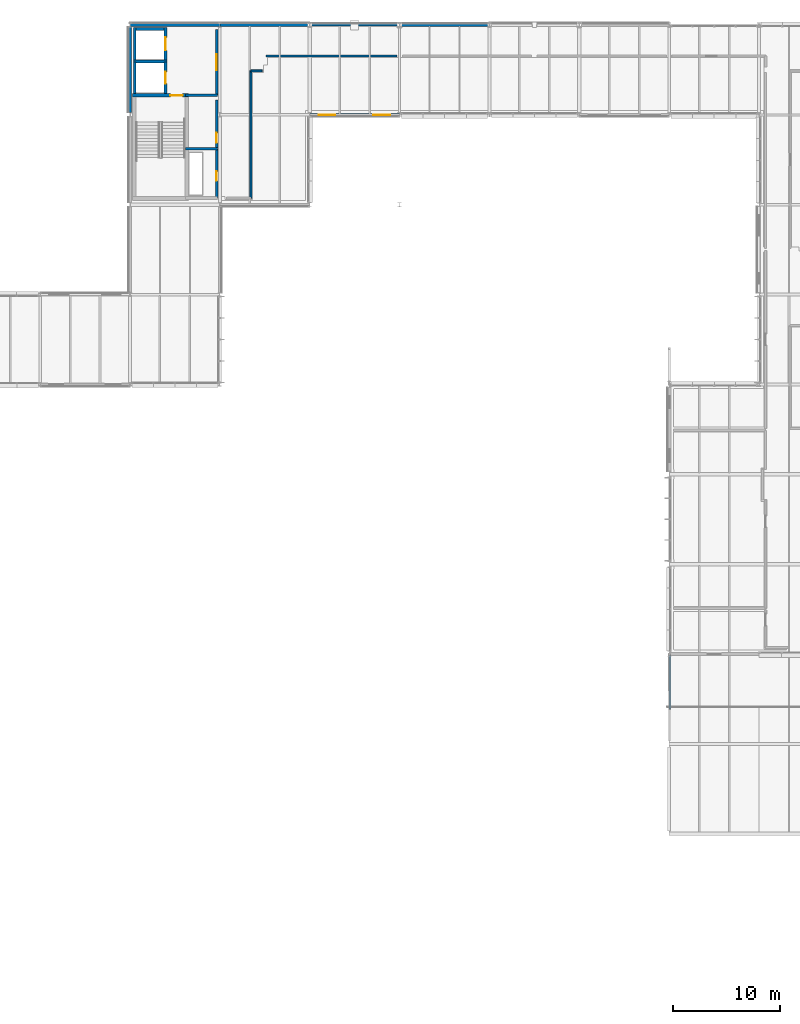
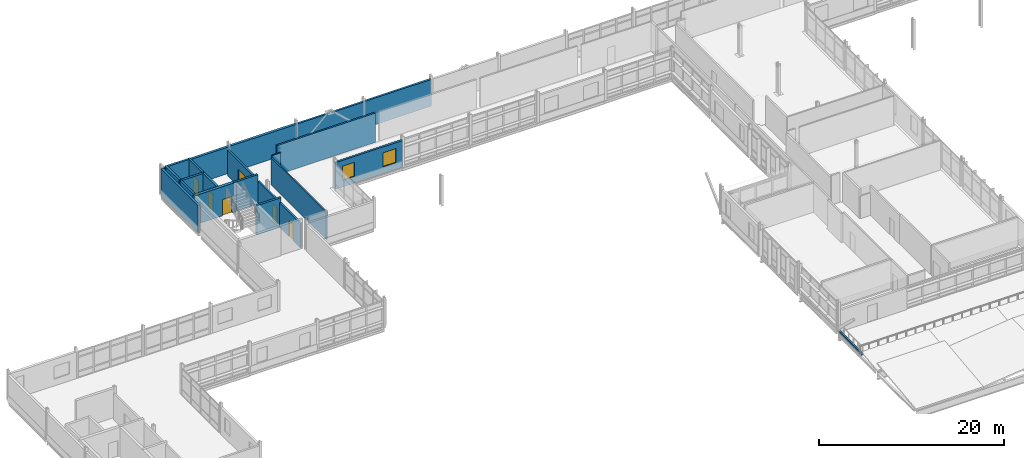
# One storey, part 85 of 103: 22 walls, 6 doors, 2 windows, 8 openings.
"""IFC4 building model written with IfcOpenShell, lengths in metres."""

from ifc_helpers import new_model, si_unit, direction, frame, frame_2d, origin, place, context, subcontext, project, spatial, rectangle, extrude, material, layer, layer_set, type_object, element, fill, save


model = new_model("IFC4")

# Units and contexts
model_context = context("Model", 3, precision=1e-05, world=origin(), true_north=direction((0.0, 1.0)))
body_context = subcontext(model_context, "Body", "Model", "MODEL_VIEW")
ifc_project = project(units=[si_unit("LENGTHUNIT", "METRE"), si_unit("AREAUNIT", "SQUARE_METRE"), si_unit("VOLUMEUNIT", "CUBIC_METRE"), si_unit("PLANEANGLEUNIT", "RADIAN"), si_unit("MASSUNIT", "GRAM", prefix="KILO")], contexts=[model_context])

# Site, building, storey
site_placement = place(None, origin())
site = spatial("IfcSite", under=ifc_project, at=site_placement, CompositionType="ELEMENT")
building_placement = place(site_placement, origin())
building = spatial("IfcBuilding", under=site, at=building_placement, Name="Mersafa Astral City Hall", CompositionType="ELEMENT")
storey_placement = place(building_placement, frame((0.0, 0.0, 18.0)))
storey = spatial("IfcBuildingStorey", under=building, at=storey_placement, Name="L04", CompositionType="ELEMENT", Elevation=18.0)

# Walls
ifc_material_1 = material(Name="Precast concrete C40/50 insulated terracotta spandrel", Category="masonry")
ifc_layer_1 = layer(ifc_material_1, 0.235107421875, Name="Precast concrete C40/50 insulated terracotta spandrel")
ifc_layer_set_1 = layer_set([ifc_layer_1], Name="Precast concrete C40/50 insulated terracotta spandrel — ENV-WAL-EXT-235")
wall_type_1 = type_object("IfcWallType", Name="ENV-WAL-EXT-235", PredefinedType="STANDARD", material=ifc_layer_set_1)
wall_1_placement = place(storey_placement, frame((67.19189453125, 126.0, 0.0), z_axis=(0.0, 0.0, 1.0), x_axis=(-1.0, 0.0, 0.0)))
element("IfcWall", 1, at=wall_1_placement, inside=storey, type_object=wall_type_1, Name="L04 Limestone-clad exterior wall 305", PredefinedType="STANDARD", context=body_context, shape_type="SweptSolid", body=[
    extrude(rectangle(XDim=8.3837890625, YDim=0.235107421875, at=frame_2d((4.19189453125, 0.0))), origin(), (0.0, 0.0, 1.0), 3.491943359375),
])
ifc_layer_2 = layer(ifc_material_1, 0.25, Name="Precast concrete C40/50 insulated terracotta spandrel")
ifc_layer_set_2 = layer_set([ifc_layer_2], Name="Precast concrete C40/50 insulated terracotta spandrel — ENV-WAL-EXT-250")
wall_type_2 = type_object("IfcWallType", Name="ENV-WAL-EXT-250", PredefinedType="STANDARD", material=ifc_layer_set_2)
wall_2_placement = place(storey_placement, frame((75.592041015625, 126.0, 0.0), z_axis=(0.0, 0.0, 1.0), x_axis=(-1.0, 0.0, 0.0)))
element("IfcWall", 2, at=wall_2_placement, inside=storey, type_object=wall_type_2, Name="L04 Limestone-clad exterior wall 304", PredefinedType="STANDARD", context=body_context, shape_type="SweptSolid", body=[
    extrude(rectangle(XDim=8.384033203125, YDim=0.25, at=frame_2d((4.19189453125, 0.0))), origin(), (0.0, 0.0, 1.0), 3.52197265625),
])

# Wall, openings, windows
wall_3_placement = place(storey_placement, frame((58.80810546875, 117.60009765625, 0.0), z_axis=(0.0, 0.0, 1.0), x_axis=(1.0, 0.0, 0.0)))
wall_3 = element("IfcWall", 3, at=wall_3_placement, inside=storey, type_object=wall_type_2, Name="L04 Limestone-clad exterior wall 322", PredefinedType="STANDARD", context=body_context, shape_type="SweptSolid", body=[
    extrude(rectangle(XDim=8.3837890625, YDim=0.25, at=frame_2d((4.19189453125, 0.0))), origin(), (0.0, 0.0, 1.0), 3.52197265625),
])
opening_1_placement = place(wall_3_placement, frame((0.85009765625, 0.0, 0.89990234375)))
opening_1 = element("IfcOpeningElement", 4, at=opening_1_placement, cuts=wall_3, Name="Opening W-46", PredefinedType="OPENING", context=body_context, shape_type="SweptSolid", body=[
    extrude(rectangle(XDim=1.52001953125, YDim=1.85009765625, at=frame_2d((0.760009765625, 0.925048828125))), frame((0.0, 0.135009765625, 0.0), z_axis=(0.0, -1.0, 0.0), x_axis=(1.0, 0.0, 0.0)), (0.0, 0.0, 1.0), 0.27001953125),
])
opening_2_placement = place(wall_3_placement, frame((5.9140625, 0.0, 0.89990234375)))
opening_2 = element("IfcOpeningElement", 5, at=opening_2_placement, cuts=wall_3, Name="Opening W-47", PredefinedType="OPENING", context=body_context, shape_type="SweptSolid", body=[
    extrude(rectangle(XDim=1.6201171875, YDim=1.85009765625, at=frame_2d((0.81005859375, 0.925048828125))), frame((0.0, 0.135009765625, 0.0), z_axis=(0.0, -1.0, 0.0), x_axis=(1.0, 0.0, 0.0)), (0.0, 0.0, 1.0), 0.27001953125),
])
ifc_material_2 = material(Name="Solar control low-e double glazing in bronze frame", Category="glass")
window_type_1 = type_object("IfcWindowType", Name="ENV-WIN-W-46", PartitioningType="SINGLE_PANEL", PredefinedType="WINDOW", material=ifc_material_2)
window_1_placement = place(opening_1_placement, origin())
window_1 = element("IfcWindow", 6, at=window_1_placement, inside=storey, type_object=window_type_1, Name="L04 Solar punched window 322-L", OverallHeight=1.85009765625, OverallWidth=1.52001953125, PartitioningType="SINGLE_PANEL", PredefinedType="WINDOW", context=body_context, shape_type="SweptSolid", body=[
    extrude(rectangle(XDim=1.52001953125, YDim=1.85009765625, at=frame_2d((0.760009765625, 0.925048828125))), frame((0.0, 0.030029296875, 0.0), z_axis=(0.0, -1.0, 0.0), x_axis=(1.0, 0.0, 0.0)), (0.0, 0.0, 1.0), 0.06005859375),
])
fill(opening_1, window_1)
window_type_2 = type_object("IfcWindowType", Name="ENV-WIN-W-47", PartitioningType="SINGLE_PANEL", PredefinedType="WINDOW", material=ifc_material_2)
window_2_placement = place(opening_2_placement, origin())
window_2 = element("IfcWindow", 7, at=window_2_placement, inside=storey, type_object=window_type_2, Name="L04 Solar punched window 322-R", OverallHeight=1.85009765625, OverallWidth=1.6201171875, PartitioningType="SINGLE_PANEL", PredefinedType="WINDOW", context=body_context, shape_type="SweptSolid", body=[
    extrude(rectangle(XDim=1.6201171875, YDim=1.85009765625, at=frame_2d((0.81005859375, 0.925048828125))), frame((0.0, 0.030029296875, 0.0), z_axis=(0.0, -1.0, 0.0), x_axis=(1.0, 0.0, 0.0)), (0.0, 0.0, 1.0), 0.06005859375),
])
fill(opening_2, window_2)

# Walls
ifc_material_3 = material(Name="Precast concrete C40/50 insulated limestone wall", Category="masonry")
ifc_layer_3 = layer(ifc_material_3, 0.280029296875, Name="Precast concrete C40/50 insulated limestone wall")
ifc_layer_set_3 = layer_set([ifc_layer_3], Name="Precast concrete C40/50 insulated limestone wall — ENV-WAL-EXT-280")
wall_type_3 = type_object("IfcWallType", Name="ENV-WAL-EXT-280", PredefinedType="STANDARD", material=ifc_layer_set_3)
wall_4_placement = place(storey_placement, frame((42.0, 125.803955078125, 0.0), z_axis=(0.0, 0.0, 1.0), x_axis=(0.0, -1.0, 0.0)))
element("IfcWall", 8, at=wall_4_placement, inside=storey, type_object=wall_type_3, Name="L04 Limestone-clad exterior wall 308", PredefinedType="STANDARD", context=body_context, shape_type="SweptSolid", body=[
    extrude(rectangle(XDim=8.008056640625, YDim=0.280029296875, at=frame_2d((4.00390625, 0.0))), origin(), (0.0, 0.0, 1.0), 3.58203125),
])
ifc_layer_4 = layer(ifc_material_3, 0.294921875, Name="Precast concrete C40/50 insulated limestone wall")
ifc_layer_set_4 = layer_set([ifc_layer_4], Name="Precast concrete C40/50 insulated limestone wall — ENV-WAL-EXT-295")
wall_type_4 = type_object("IfcWallType", Name="ENV-WAL-EXT-295", PredefinedType="STANDARD", material=ifc_layer_set_4)
wall_5_placement = place(storey_placement, frame((50.39208984375, 126.0, 0.0), z_axis=(0.0, 0.0, 1.0), x_axis=(-1.0, 0.0, 0.0)))
element("IfcWall", 9, at=wall_5_placement, inside=storey, type_object=wall_type_4, Name="L04 Limestone-clad exterior wall 307", PredefinedType="STANDARD", context=body_context, shape_type="SweptSolid", body=[
    extrude(rectangle(XDim=8.384033203125, YDim=0.294921875, at=frame_2d((4.19189453125, 0.0))), origin(), (0.0, 0.0, 1.0), 3.491943359375),
])
ifc_layer_5 = layer(ifc_material_3, 0.31005859375, Name="Precast concrete C40/50 insulated limestone wall")
ifc_layer_set_5 = layer_set([ifc_layer_5], Name="Precast concrete C40/50 insulated limestone wall — ENV-WAL-EXT-310")
wall_type_5 = type_object("IfcWallType", Name="ENV-WAL-EXT-310", PredefinedType="STANDARD", material=ifc_layer_set_5)
wall_6_placement = place(storey_placement, frame((58.7919921875, 126.0, 0.0), z_axis=(0.0, 0.0, 1.0), x_axis=(-1.0, 0.0, 0.0)))
element("IfcWall", 10, at=wall_6_placement, inside=storey, type_object=wall_type_5, Name="L04 Limestone-clad exterior wall 306", PredefinedType="STANDARD", context=body_context, shape_type="SweptSolid", body=[
    extrude(rectangle(XDim=8.384033203125, YDim=0.31005859375, at=frame_2d((4.19189453125, 0.0))), origin(), (0.0, 0.0, 1.0), 3.52197265625),
])
ifc_material_4 = material(Name="Precast concrete C40/50 parapet", Category="concrete")
ifc_layer_6 = layer(ifc_material_4, 0.199951171875, Name="Precast concrete C40/50 parapet")
ifc_layer_set_6 = layer_set([ifc_layer_6], Name="Precast concrete C40/50 parapet — ENV-WAL-PAR-200")
wall_type_6 = type_object("IfcWallType", Name="ENV-WAL-PAR-200", PredefinedType="PARAPET", material=ifc_layer_set_6)
wall_7_placement = place(storey_placement, frame((92.469970703125, 67.06005859375, 0.0), z_axis=(0.0, 0.0, 1.0), x_axis=(0.0, -1.0, 0.0)))
element("IfcWall", 11, at=wall_7_placement, inside=storey, type_object=wall_type_6, Name="L04 Terrace stone kerb parapet 9", PredefinedType="PARAPET", context=body_context, shape_type="SweptSolid", body=[
    extrude(rectangle(XDim=5.0, YDim=0.199951171875, at=frame_2d((2.5, 0.0))), origin(), (0.0, 0.0, 1.0), 0.219970703125),
])
ifc_material_5 = material(Name="Concrete C40/50", Category="concrete")
ifc_layer_7 = layer(ifc_material_5, 0.260009765625, Name="Concrete C40/50")
ifc_layer_set_7 = layer_set([ifc_layer_7], Name="Concrete C40/50 — INT-WAL-CORE-260")
wall_type_7 = type_object("IfcWallType", Name="INT-WAL-CORE-260", PredefinedType="SHEAR", material=ifc_layer_set_7)
wall_8_placement = place(storey_placement, frame((42.31494140625, 122.5849609375, 0.0), z_axis=(0.0, 0.0, 1.0), x_axis=(1.0, 0.0, 0.0)))
element("IfcWall", 12, at=wall_8_placement, inside=storey, type_object=wall_type_7, Name="L04 Lift LF5 north shaft wall", PredefinedType="SHEAR", context=body_context, shape_type="SweptSolid", body=[
    extrude(rectangle(XDim=3.130126953125, YDim=0.260009765625, at=frame_2d((1.56494140625, 0.0))), origin(), (0.0, 0.0, 1.0), 3.85009765625),
])
wall_9_placement = place(storey_placement, frame((42.445068359375, 119.596923828125, 0.0), z_axis=(0.0, 0.0, 1.0), x_axis=(0.0, 1.0, 0.0)))
element("IfcWall", 13, at=wall_9_placement, inside=storey, type_object=wall_type_7, Name="L04 Lift LF5 back shaft wall", PredefinedType="SHEAR", context=body_context, shape_type="SweptSolid", body=[
    extrude(rectangle(XDim=2.947998046875, YDim=0.260009765625, at=frame_2d((1.47412109375, 0.0))), origin(), (0.0, 0.0, 1.0), 3.85009765625),
])

# Wall, opening, door
wall_10_placement = place(storey_placement, frame((45.31494140625, 119.596923828125, 0.0), z_axis=(0.0, 0.0, 1.0), x_axis=(0.0, 1.0, 0.0)))
wall_10 = element("IfcWall", 14, at=wall_10_placement, inside=storey, type_object=wall_type_7, Name="L04 Lift LF5 front shaft wall", PredefinedType="SHEAR", context=body_context, shape_type="SweptSolid", body=[
    extrude(rectangle(XDim=2.947998046875, YDim=0.260009765625, at=frame_2d((1.47412109375, 0.0))), origin(), (0.0, 0.0, 1.0), 3.85009765625),
])
opening_3_placement = place(wall_10_placement, frame((0.924072265625, 0.0, 0.0)))
opening_3 = element("IfcOpeningElement", 15, at=opening_3_placement, cuts=wall_10, Name="Opening LD-1", PredefinedType="OPENING", context=body_context, shape_type="SweptSolid", body=[
    extrude(rectangle(XDim=1.10009765625, YDim=2.14990234375, at=frame_2d((0.550048828125, 1.074951171875))), frame((0.0, 0.139892578125, 0.0), z_axis=(0.0, -1.0, 0.0), x_axis=(1.0, 0.0, 0.0)), (0.0, 0.0, 1.0), 0.280029296875),
])
ifc_material_6 = material(Name="Stainless steel sliding lift landing door", Category="steel")
door_type_1 = type_object("IfcDoorType", Name="INT-DR-LIFT-LD1", OperationType="NOTDEFINED", PredefinedType="DOOR", material=ifc_material_6)
door_1_placement = place(opening_3_placement, origin())
door_1 = element("IfcDoor", 16, at=door_1_placement, inside=storey, type_object=door_type_1, Name="Elevator LF5 Sliding Landing Door L04", OperationType="DOUBLE_DOOR_SLIDING", OverallHeight=2.14990234375, OverallWidth=1.10009765625, PredefinedType="DOOR", context=body_context, shape_type="SweptSolid", body=[
    extrude(rectangle(XDim=1.10009765625, YDim=2.14990234375, at=frame_2d((0.550048828125, 1.074951171875))), frame((0.0, 0.02490234375, 0.0), z_axis=(0.0, -1.0, 0.0), x_axis=(1.0, 0.0, 0.0)), (0.0, 0.0, 1.0), 0.050048828125),
])
fill(opening_3, door_1)

# Walls
wall_11_placement = place(storey_placement, frame((42.31494140625, 125.635009765625, 0.0), z_axis=(0.0, 0.0, 1.0), x_axis=(1.0, 0.0, 0.0)))
element("IfcWall", 17, at=wall_11_placement, inside=storey, type_object=wall_type_7, Name="L04 Lift LF9 north shaft wall", PredefinedType="SHEAR", context=body_context, shape_type="SweptSolid", body=[
    extrude(rectangle(XDim=3.130126953125, YDim=0.260009765625, at=frame_2d((1.56494140625, 0.0))), origin(), (0.0, 0.0, 1.0), 3.85009765625),
])
wall_12_placement = place(storey_placement, frame((42.445068359375, 122.705078125, 0.0), z_axis=(0.0, 0.0, 1.0), x_axis=(0.0, 1.0, 0.0)))
element("IfcWall", 18, at=wall_12_placement, inside=storey, type_object=wall_type_7, Name="L04 Lift LF9 back shaft wall", PredefinedType="SHEAR", context=body_context, shape_type="SweptSolid", body=[
    extrude(rectangle(XDim=3.059814453125, YDim=0.260009765625, at=frame_2d((1.52978515625, 0.0))), origin(), (0.0, 0.0, 1.0), 3.85009765625),
])

# Wall, opening, door
wall_13_placement = place(storey_placement, frame((45.31494140625, 122.705078125, 0.0), z_axis=(0.0, 0.0, 1.0), x_axis=(0.0, 1.0, 0.0)))
wall_13 = element("IfcWall", 19, at=wall_13_placement, inside=storey, type_object=wall_type_7, Name="L04 Lift LF9 front shaft wall", PredefinedType="SHEAR", context=body_context, shape_type="SweptSolid", body=[
    extrude(rectangle(XDim=3.059814453125, YDim=0.260009765625, at=frame_2d((1.52978515625, 0.0))), origin(), (0.0, 0.0, 1.0), 3.85009765625),
])
opening_4_placement = place(wall_13_placement, frame((0.929931640625, 0.0, 0.0)))
opening_4 = element("IfcOpeningElement", 20, at=opening_4_placement, cuts=wall_13, Name="Opening LD-2", PredefinedType="OPENING", context=body_context, shape_type="SweptSolid", body=[
    extrude(rectangle(XDim=1.199951171875, YDim=2.14990234375, at=frame_2d((0.60009765625, 1.074951171875))), frame((0.0, 0.139892578125, 0.0), z_axis=(0.0, -1.0, 0.0), x_axis=(1.0, 0.0, 0.0)), (0.0, 0.0, 1.0), 0.280029296875),
])
ifc_material_7 = material(Name="Heavy-duty sliding goods lift landing door", Category="metal")
door_type_2 = type_object("IfcDoorType", Name="INT-DR-LIFT-LD2", OperationType="NOTDEFINED", PredefinedType="DOOR", material=ifc_material_7)
door_2_placement = place(opening_4_placement, origin())
door_2 = element("IfcDoor", 21, at=door_2_placement, inside=storey, type_object=door_type_2, Name="Elevator LF9 Sliding Landing Door L04", OperationType="DOUBLE_DOOR_SLIDING", OverallHeight=2.14990234375, OverallWidth=1.199951171875, PredefinedType="DOOR", context=body_context, shape_type="SweptSolid", body=[
    extrude(rectangle(XDim=1.199951171875, YDim=2.14990234375, at=frame_2d((0.60009765625, 1.074951171875))), frame((0.0, 0.02490234375, 0.0), z_axis=(0.0, -1.0, 0.0), x_axis=(1.0, 0.0, 0.0)), (0.0, 0.0, 1.0), 0.050048828125),
])
fill(opening_4, door_2)

# Walls
for number, where, z_axis, x_axis, name in (
    (22, (47.1650390625, 114.43505859375, 0.0), (0.0, 0.0, 1.0), (1.0, 0.0, 0.0), "L04 Core K3 riser-restroom divider wall"),
    (23, (47.1650390625, 119.43505859375, 0.0), (0.0, 0.0, 1.0), (1.0, 0.0, 0.0), "L04 Core K3 restroom-lobby divider wall"),
):
    element("IfcWall", number, at=place(storey_placement, frame(where, z_axis=z_axis, x_axis=x_axis)), inside=storey, type_object=wall_type_7, Name=name, PredefinedType="SHEAR", context=body_context, shape_type="SweptSolid", body=[
        extrude(rectangle(XDim=3.034912109375, YDim=0.260009765625, at=frame_2d((1.517578125, 0.0))), origin(), (0.0, 0.0, 1.0), 3.85009765625),
    ])

# Wall, opening, door
ifc_layer_8 = layer(ifc_material_5, 0.340087890625, Name="Concrete C40/50")
ifc_layer_set_8 = layer_set([ifc_layer_8], Name="Concrete C40/50 — INT-WAL-CORE-340")
wall_type_8 = type_object("IfcWallType", Name="INT-WAL-CORE-340", PredefinedType="SHEAR", material=ifc_layer_set_8)
wall_14_placement = place(storey_placement, frame((42.235107421875, 119.425048828125, 0.0), z_axis=(0.0, 0.0, 1.0), x_axis=(1.0, 0.0, 0.0)))
wall_14 = element("IfcWall", 24, at=wall_14_placement, inside=storey, type_object=wall_type_8, Name="L04 Core K3 stair-lobby fire wall", PredefinedType="SHEAR", context=body_context, shape_type="SweptSolid", body=[
    extrude(rectangle(XDim=5.25, YDim=0.340087890625, at=frame_2d((2.625, 0.0))), origin(), (0.0, 0.0, 1.0), 3.85009765625),
])
opening_5_placement = place(wall_14_placement, frame((3.534912109375, 0.0, 0.0)))
opening_5 = element("IfcOpeningElement", 25, at=opening_5_placement, cuts=wall_14, Name="Opening CD-1", PredefinedType="OPENING", context=body_context, shape_type="SweptSolid", body=[
    extrude(rectangle(XDim=1.14990234375, YDim=2.14990234375, at=frame_2d((0.574951171875, 1.074951171875))), frame((0.0, 0.179931640625, 0.0), z_axis=(0.0, -1.0, 0.0), x_axis=(1.0, 0.0, 0.0)), (0.0, 0.0, 1.0), 0.360107421875),
])
ifc_material_8 = material(Name="Fire-rated steel stair door", Category="steel")
door_type_3 = type_object("IfcDoorType", Name="INT-DR-STAIR-FD90-1150", OperationType="NOTDEFINED", PredefinedType="DOOR", material=ifc_material_8)
door_3_placement = place(opening_5_placement, origin())
door_3 = element("IfcDoor", 26, at=door_3_placement, inside=storey, type_object=door_type_3, Name="L04 Protected Stair ST3 Door", OperationType="SINGLE_SWING_LEFT", OverallHeight=2.14990234375, OverallWidth=1.14990234375, PredefinedType="DOOR", context=body_context, shape_type="SweptSolid", body=[
    extrude(rectangle(XDim=1.14990234375, YDim=2.14990234375, at=frame_2d((0.574951171875, 1.074951171875))), frame((0.0, 0.02490234375, 0.0), z_axis=(0.0, -1.0, 0.0), x_axis=(1.0, 0.0, 0.0)), (0.0, 0.0, 1.0), 0.050048828125),
])
fill(opening_5, door_3)

# Walls
ifc_material_9 = material(Name="Fire-rated gypsum stud partition", Category="gypsum")
ifc_layer_9 = layer(ifc_material_9, 0.1650390625, Name="Fire-rated gypsum stud partition")
ifc_layer_set_9 = layer_set([ifc_layer_9], Name="Fire-rated gypsum stud partition — INT-WAL-PART-EI60-165")
wall_type_9 = type_object("IfcWallType", Name="INT-WAL-PART-EI60-165", PredefinedType="STANDARD", material=ifc_layer_set_9)
wall_15_placement = place(storey_placement, frame((53.300048828125, 121.7099609375, -0.00390625), z_axis=(0.0, 0.0, 1.0), x_axis=(1.0, 0.0, 0.0)))
element("IfcWall", 27, at=wall_15_placement, inside=storey, type_object=wall_type_9, Name="L04 Interior partition wall 727", PredefinedType="STANDARD", context=body_context, shape_type="SweptSolid", body=[
    extrude(rectangle(XDim=1.0400390625, YDim=0.1650390625, at=frame_2d((0.52001953125, 0.0))), origin(), (0.0, 0.0, 1.0), 3.85400390625),
])
ifc_material_10 = material(Name="Acoustic twin-stud gypsum partition", Category="gypsum")
ifc_layer_10 = layer(ifc_material_10, 0.179931640625, Name="Acoustic twin-stud gypsum partition")
ifc_layer_set_10 = layer_set([ifc_layer_10], Name="Acoustic twin-stud gypsum partition — INT-WAL-PART-EI60-180")
wall_type_10 = type_object("IfcWallType", Name="INT-WAL-PART-EI60-180", PredefinedType="STANDARD", material=ifc_layer_set_10)
wall_16_placement = place(storey_placement, frame((53.300048828125, 109.820068359375, -0.00390625), z_axis=(0.0, 0.0, 1.0), x_axis=(0.0, 1.0, 0.0)))
element("IfcWall", 28, at=wall_16_placement, inside=storey, type_object=wall_type_10, Name="L04 Interior partition wall 726", PredefinedType="STANDARD", context=body_context, shape_type="SweptSolid", body=[
    extrude(rectangle(XDim=11.889892578125, YDim=0.179931640625, at=frame_2d((5.94482421875, 0.0))), origin(), (0.0, 0.0, 1.0), 3.5859375),
])

# Wall, opening, door
ifc_material_11 = material(Name="Autoclaved aerated concrete blockwork plastered", Category="masonry")
ifc_layer_11 = layer(ifc_material_11, 0.2099609375, Name="Autoclaved aerated concrete blockwork plastered")
ifc_layer_set_11 = layer_set([ifc_layer_11], Name="Autoclaved aerated concrete blockwork plastered — INT-WAL-PART-EI60-210")
wall_type_11 = type_object("IfcWallType", Name="INT-WAL-PART-EI60-210", PredefinedType="STANDARD", material=ifc_layer_set_11)
wall_17_placement = place(storey_placement, frame((50.10009765625, 109.820068359375, 0.0), z_axis=(0.0, 0.0, 1.0), x_axis=(0.0, 1.0, 0.0)))
wall_17 = element("IfcWall", 29, at=wall_17_placement, inside=storey, type_object=wall_type_11, Name="L04 Core K3 riser corridor partition", PredefinedType="STANDARD", context=body_context, shape_type="SweptSolid", body=[
    extrude(rectangle(XDim=4.58984375, YDim=0.2099609375, at=frame_2d((2.294921875, 0.0))), origin(), (0.0, 0.0, 1.0), 3.251953125),
])
opening_6_placement = place(wall_17_placement, frame((1.60009765625, 0.0, 0.0)))
opening_6 = element("IfcOpeningElement", 30, at=opening_6_placement, cuts=wall_17, Name="Opening CD-5", PredefinedType="OPENING", context=body_context, shape_type="SweptSolid", body=[
    extrude(rectangle(XDim=0.89990234375, YDim=2.10009765625, at=frame_2d((0.449951171875, 1.050048828125))), frame((0.0, 0.114990234375, 0.0), z_axis=(0.0, -1.0, 0.0), x_axis=(1.0, 0.0, 0.0)), (0.0, 0.0, 1.0), 0.22998046875),
])
ifc_material_12 = material(Name="Fire-rated steel riser access door", Category="steel")
door_type_4 = type_object("IfcDoorType", Name="INT-DR-RISER-FD60-900", OperationType="NOTDEFINED", PredefinedType="DOOR", material=ifc_material_12)
door_4_placement = place(opening_6_placement, origin())
door_4 = element("IfcDoor", 31, at=door_4_placement, inside=storey, type_object=door_type_4, Name="L04 K3 MEP Riser Access Door", OperationType="SINGLE_SWING_RIGHT", OverallHeight=2.10009765625, OverallWidth=0.89990234375, PredefinedType="DOOR", context=body_context, shape_type="SweptSolid", body=[
    extrude(rectangle(XDim=0.89990234375, YDim=2.10009765625, at=frame_2d((0.449951171875, 1.050048828125))), frame((0.0, 0.02490234375, 0.0), z_axis=(0.0, -1.0, 0.0), x_axis=(1.0, 0.0, 0.0)), (0.0, 0.0, 1.0), 0.050048828125),
])
fill(opening_6, door_4)

wall_18_placement = place(storey_placement, frame((50.10009765625, 114.52001953125, 0.0), z_axis=(0.0, 0.0, 1.0), x_axis=(0.0, 1.0, 0.0)))
wall_18 = element("IfcWall", 32, at=wall_18_placement, inside=storey, type_object=wall_type_11, Name="L04 Core K3 accessible WC corridor partition", PredefinedType="STANDARD", context=body_context, shape_type="SweptSolid", body=[
    extrude(rectangle(XDim=4.47998046875, YDim=0.2099609375, at=frame_2d((2.239990234375, 0.0))), origin(), (0.0, 0.0, 1.0), 3.251953125),
])
opening_7_placement = place(wall_18_placement, frame((0.449951171875, 0.0, 0.0)))
opening_7 = element("IfcOpeningElement", 33, at=opening_7_placement, cuts=wall_18, Name="Opening CD-4", PredefinedType="OPENING", context=body_context, shape_type="SweptSolid", body=[
    extrude(rectangle(XDim=0.949951171875, YDim=2.14990234375, at=frame_2d((0.47509765625, 1.074951171875))), frame((0.0, 0.114990234375, 0.0), z_axis=(0.0, -1.0, 0.0), x_axis=(1.0, 0.0, 0.0)), (0.0, 0.0, 1.0), 0.22998046875),
])
ifc_material_13 = material(Name="Accessible timber acoustic WC door", Category="wood")
door_type_5 = type_object("IfcDoorType", Name="INT-DR-WC-FD30-950", OperationType="NOTDEFINED", PredefinedType="DOOR", material=ifc_material_13)
door_5_placement = place(opening_7_placement, origin())
door_5 = element("IfcDoor", 34, at=door_5_placement, inside=storey, type_object=door_type_5, Name="L04 K3 Accessible Restroom Door", OperationType="SINGLE_SWING_LEFT", OverallHeight=2.14990234375, OverallWidth=0.949951171875, PredefinedType="DOOR", context=body_context, shape_type="SweptSolid", body=[
    extrude(rectangle(XDim=0.949951171875, YDim=2.14990234375, at=frame_2d((0.47509765625, 1.074951171875))), frame((0.0, 0.02490234375, 0.0), z_axis=(0.0, -1.0, 0.0), x_axis=(1.0, 0.0, 0.0)), (0.0, 0.0, 1.0), 0.050048828125),
])
fill(opening_7, door_5)

wall_19_placement = place(storey_placement, frame((50.10009765625, 119.43994140625, 0.0), z_axis=(0.0, 0.0, 1.0), x_axis=(0.0, 1.0, 0.0)))
wall_19 = element("IfcWall", 35, at=wall_19_placement, inside=storey, type_object=wall_type_11, Name="L04 Core K3 lobby corridor partition", PredefinedType="STANDARD", context=body_context, shape_type="SweptSolid", body=[
    extrude(rectangle(XDim=6.1201171875, YDim=0.2099609375, at=frame_2d((3.06005859375, 0.0))), origin(), (0.0, 0.0, 1.0), 3.362060546875),
])
opening_8_placement = place(wall_19_placement, frame((2.31005859375, 0.0, 0.0)))
opening_8 = element("IfcOpeningElement", 36, at=opening_8_placement, cuts=wall_19, Name="Opening CD-3", PredefinedType="OPENING", context=body_context, shape_type="SweptSolid", body=[
    extrude(rectangle(XDim=1.5, YDim=2.199951171875, at=frame_2d((0.75, 1.10009765625))), frame((0.0, 0.114990234375, 0.0), z_axis=(0.0, -1.0, 0.0), x_axis=(1.0, 0.0, 0.0)), (0.0, 0.0, 1.0), 0.22998046875),
])
ifc_material_14 = material(Name="Fire-rated glazed lobby door pair", Category="metal")
door_type_6 = type_object("IfcDoorType", Name="INT-DR-LOBBY-FD90-1500", OperationType="NOTDEFINED", PredefinedType="DOOR", material=ifc_material_14)
door_6_placement = place(opening_8_placement, origin())
door_6 = element("IfcDoor", 37, at=door_6_placement, inside=storey, type_object=door_type_6, Name="L04 K3 Lift Lobby Fire Door", OperationType="DOUBLE_DOOR_SINGLE_SWING", OverallHeight=2.199951171875, OverallWidth=1.5, PredefinedType="DOOR", context=body_context, shape_type="SweptSolid", body=[
    extrude(rectangle(XDim=1.5, YDim=2.199951171875, at=frame_2d((0.75, 1.10009765625))), frame((0.0, 0.02490234375, 0.0), z_axis=(0.0, -1.0, 0.0), x_axis=(1.0, 0.0, 0.0)), (0.0, 0.0, 1.0), 0.050048828125),
])
fill(opening_8, door_6)

# Wall
wall_20_placement = place(storey_placement, frame((54.68994140625, 123.10009765625, -0.00390625), z_axis=(0.0, 0.0, 1.0), x_axis=(1.0, 0.0, 0.0)))
element("IfcWall", 38, at=wall_20_placement, inside=storey, type_object=wall_type_11, Name="L04 Interior partition wall 728", PredefinedType="STANDARD", context=body_context, shape_type="SweptSolid", body=[
    extrude(rectangle(XDim=12.25, YDim=0.2099609375, at=frame_2d((6.125, 0.0))), origin(), (0.0, 0.0, 1.0), 3.85400390625),
])

save(model, "model.ifc")
